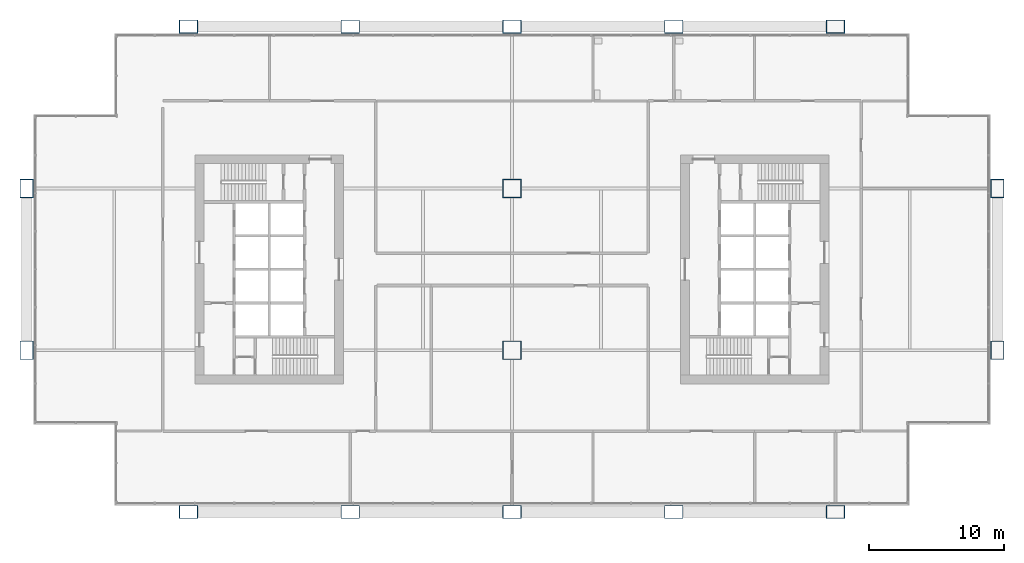
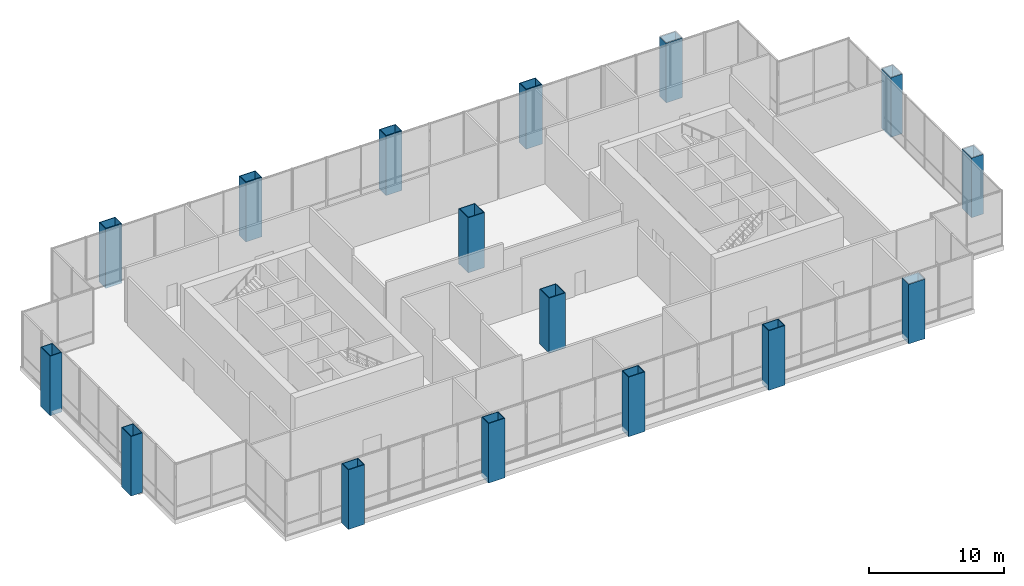
# One storey, part 1 of 20: 16 columns.
"""IFC4 building model written with IfcOpenShell, lengths in metres."""

from ifc_helpers import new_model, si_unit, direction, frame, origin, origin_2d, place, context, subcontext, project, spatial, hollow_rectangle, extrude, material, material_profile, profile_set, type_object, element, save


model = new_model("IFC4")

# Units and contexts
model_context = context("Model", 3, precision=1e-05, world=origin(), true_north=direction((0.0, 1.0)))
body_context = subcontext(model_context, "Body", "Model", "MODEL_VIEW")
ifc_project = project(units=[si_unit("LENGTHUNIT", "METRE"), si_unit("AREAUNIT", "SQUARE_METRE"), si_unit("VOLUMEUNIT", "CUBIC_METRE"), si_unit("PLANEANGLEUNIT", "RADIAN"), si_unit("MASSUNIT", "GRAM", prefix="KILO")], contexts=[model_context])

# Site, building, storey
site_placement = place(None, origin())
site = spatial("IfcSite", under=ifc_project, at=site_placement, CompositionType="ELEMENT")
building_placement = place(site_placement, origin())
building = spatial("IfcBuilding", under=site, at=building_placement, Name="Kitamizu Gate Tower and Museum", CompositionType="ELEMENT")
storey_placement = place(building_placement, frame((0.0, 0.0, 148.35009765625)))
storey = spatial("IfcBuildingStorey", under=building, at=storey_placement, Name="L39", CompositionType="ELEMENT", Elevation=148.35009765625)

# Columns
ifc_material_1 = material(Name="Steel SM490A bronze coated", Category="steel")
ifc_material_profile_1 = material_profile(ifc_material_1, hollow_rectangle(XDim=1.39990234375, YDim=1.0, WallThickness=0.054931640625, at=origin_2d()), Name="BOX 1400x1000x55")
ifc_profile_set_1 = profile_set([ifc_material_profile_1], Name="Steel SM490A bronze coated")
column_type_1 = type_object("IfcColumnType", Name="Exoskeleton column XC5 BOX 1400x1000x55", PredefinedType="COLUMN", material=ifc_profile_set_1)
for number, where, z_axis, x_axis, name in (
    (1, (0.0, 24.0, -0.400146484375), (0.0, 0.0, 1.0), (0.0, 1.0, 0.0), "Column XC5 1C L39"),
    (2, (0.0, 36.0, -0.400146484375), (0.0, 0.0, 1.0), (0.0, 1.0, 0.0), "Column XC5 1D L39"),
    (3, (12.0, 12.0, -0.400146484375), (0.0, 0.0, 1.0), (1.0, 0.0, 0.0), "Column XC5 2B L39"),
    (4, (12.0, 48.0, -0.400146484375), (0.0, 0.0, 1.0), (1.0, 0.0, 0.0), "Column XC5 2E L39"),
    (5, (24.0, 12.0, -0.400146484375), (0.0, 0.0, 1.0), (1.0, 0.0, 0.0), "Column XC5 3B L39"),
    (6, (24.0, 48.0, -0.400146484375), (0.0, 0.0, 1.0), (1.0, 0.0, 0.0), "Column XC5 3E L39"),
    (7, (36.0, 12.0, -0.400146484375), (0.0, 0.0, 1.0), (1.0, 0.0, 0.0), "Column XC5 4B L39"),
    (8, (36.0, 48.0, -0.400146484375), (0.0, 0.0, 1.0), (1.0, 0.0, 0.0), "Column XC5 4E L39"),
    (9, (48.0, 12.0, -0.400146484375), (0.0, 0.0, 1.0), (1.0, 0.0, 0.0), "Column XC5 5B L39"),
    (10, (48.0, 48.0, -0.400146484375), (0.0, 0.0, 1.0), (1.0, 0.0, 0.0), "Column XC5 5E L39"),
    (11, (60.0, 12.0, -0.400146484375), (0.0, 0.0, 1.0), (1.0, 0.0, 0.0), "Column XC5 6B L39"),
    (12, (60.0, 48.0, -0.400146484375), (0.0, 0.0, 1.0), (1.0, 0.0, 0.0), "Column XC5 6E L39"),
    (13, (72.0, 24.0, -0.400146484375), (0.0, 0.0, 1.0), (0.0, 1.0, 0.0), "Column XC5 7C L39"),
    (14, (72.0, 36.0, -0.400146484375), (0.0, 0.0, 1.0), (0.0, 1.0, 0.0), "Column XC5 7D L39"),
):
    element("IfcColumn", number, at=place(storey_placement, frame(where, z_axis=z_axis, x_axis=x_axis)), inside=storey, type_object=column_type_1, Name=name, PredefinedType="COLUMN", context=body_context, shape_type="SweptSolid", body=[
        extrude(hollow_rectangle(XDim=1.39990234375, YDim=1.0, WallThickness=0.054931640625, at=origin_2d()), origin(), (0.0, 0.0, 1.0), 5.400146484375),
    ])
ifc_material_2 = material(Name="Steel SM490A", Category="steel")
ifc_material_profile_2 = material_profile(ifc_material_2, hollow_rectangle(XDim=1.39990234375, YDim=1.39990234375, WallThickness=0.06005859375, at=origin_2d()), Name="BOX 1400x1400x60")
ifc_profile_set_2 = profile_set([ifc_material_profile_2], Name="Steel SM490A")
column_type_2 = type_object("IfcColumnType", Name="Interior column IC3 BOX 1400x1400x60", PredefinedType="COLUMN", material=ifc_profile_set_2)
for number, where, z_axis, x_axis, name in (
    (15, (36.0, 24.0, 0.0), (0.0, 0.0, 1.0), (1.0, 0.0, 0.0), "Column IC3 4C L39"),
    (16, (36.0, 36.0, 0.0), (0.0, 0.0, 1.0), (1.0, 0.0, 0.0), "Column IC3 4D L39"),
):
    element("IfcColumn", number, at=place(storey_placement, frame(where, z_axis=z_axis, x_axis=x_axis)), inside=storey, type_object=column_type_2, Name=name, PredefinedType="COLUMN", context=body_context, shape_type="SweptSolid", body=[
        extrude(hollow_rectangle(XDim=1.39990234375, YDim=1.39990234375, WallThickness=0.06005859375, at=origin_2d()), origin(), (0.0, 0.0, 1.0), 5.0),
    ])

save(model, "model.ifc")
